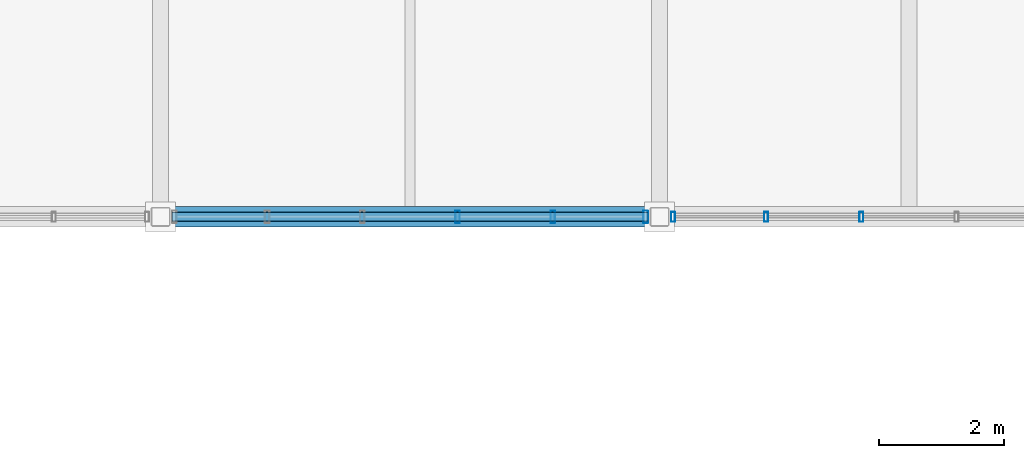
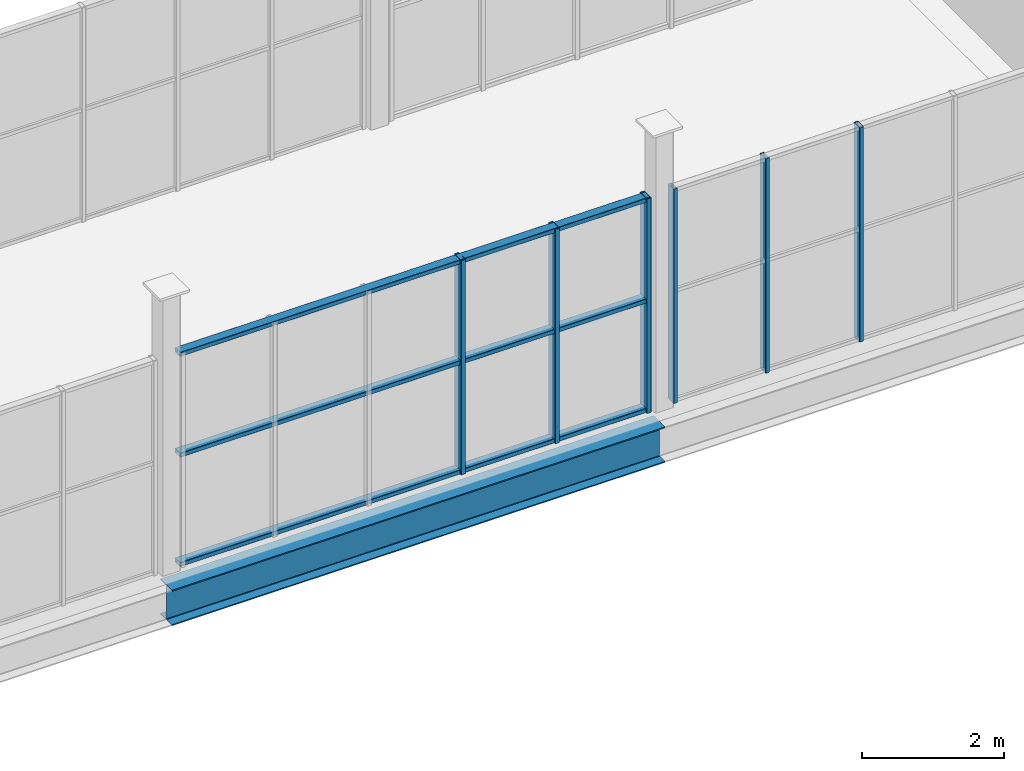
# One storey, part 51 of 114: 9 members, 1 beam, 2 elements without a shape of their own.
"""IFC4 building model written with IfcOpenShell, lengths in metres."""

from ifc_helpers import new_model, si_unit, direction, frame, origin, origin_2d, place, context, subcontext, project, spatial, hollow_rectangle, i_section, extrude, material, material_profile, profile_set, type_object, element, aggregate, save


model = new_model("IFC4")

# Units and contexts
model_context = context("Model", 3, precision=1e-05, world=origin(), true_north=direction((0.0, 1.0)))
body_context = subcontext(model_context, "Body", "Model", "MODEL_VIEW")
ifc_project = project(units=[si_unit("LENGTHUNIT", "METRE"), si_unit("AREAUNIT", "SQUARE_METRE"), si_unit("VOLUMEUNIT", "CUBIC_METRE"), si_unit("PLANEANGLEUNIT", "RADIAN"), si_unit("MASSUNIT", "GRAM", prefix="KILO")], contexts=[model_context])

# Site, building, storey
site_placement = place(None, origin())
site = spatial("IfcSite", under=ifc_project, at=site_placement, CompositionType="ELEMENT")
building_placement = place(site_placement, origin())
building = spatial("IfcBuilding", under=site, at=building_placement, Name="Verrall Gate Interchange", CompositionType="ELEMENT")
storey_placement = place(building_placement, frame((0.0, 0.0, 6.60009765625)))
storey = spatial("IfcBuildingStorey", under=building, at=storey_placement, Name="L02", CompositionType="ELEMENT", Elevation=6.60009765625)

# Beam
ifc_material_1 = material(Name="Structural Steel CSA G40.21 350WT Cat 4", Category="steel")
ifc_material_profile_1 = material_profile(ifc_material_1, i_section(OverallWidth=0.323974609375, OverallDepth=0.611083984375, WebThickness=0.0126953125, FlangeThickness=0.01904296875, FilletRadius=0.014892578125, at=origin_2d()), Name="W610x155")
ifc_profile_set_1 = profile_set([ifc_material_profile_1], Name="Structural Steel CSA G40.21 350WT Cat 4")
beam_type = type_object("IfcBeamType", Name="B-08 Structural Beam W610x155", PredefinedType="BEAM", material=ifc_profile_set_1)
beam_placement = place(storey_placement, frame((116.0, 48.0, -0.585693359375), z_axis=(1.0, 0.0, 0.0), x_axis=(0.0, 1.0, 0.0)))
element("IfcBeam", 1, at=beam_placement, inside=storey, type_object=beam_type, Name="L02 Girder BM-L02-1580 (B-08)", PredefinedType="BEAM", context=body_context, shape_type="SweptSolid", body=[
    extrude(i_section(OverallWidth=0.323974609375, OverallDepth=0.611083984375, WebThickness=0.0126953125, FlangeThickness=0.01904296875, FilletRadius=0.014892578125, at=origin_2d()), origin(), (0.0, 0.0, 1.0), 8.0),
])

# Curtain wall, members
ifc_material_2 = material(Name="Thermally Broken Anodized Aluminium Curtain Wall Framing", Category="aluminium")
curtain_wall_type = type_object("IfcCurtainWallType", Name="CW-21 Unitized Curtain Wall 7631x3680", PredefinedType="NOTDEFINED", material=ifc_material_2)
curtain_wall_1_placement = place(storey_placement, origin())
curtain_wall_1 = element("IfcCurtainWall", 2, at=curtain_wall_1_placement, inside=storey, type_object=curtain_wall_type, Name="L02 Unitized Curtain Wall CW-L02-072", PredefinedType="NOTDEFINED")
ifc_material_3 = material(Name="Thermally Broken Anodized Aluminium Curtain Wall Framing", Category="aluminium")
ifc_material_profile_2 = material_profile(ifc_material_3, hollow_rectangle(XDim=0.06494140625, YDim=0.159912109375, WallThickness=0.00390625, InnerFilletRadius=0.00390625, OuterFilletRadius=0.008056640625, at=origin_2d()), Name="CWM160x65x4")
ifc_profile_set_2 = profile_set([ifc_material_profile_2], Name="Thermally Broken Anodized Aluminium Curtain Wall Framing")
member_type_1 = type_object("IfcMemberType", Name="CM-01 Curtain Mullion CWM160x65x4", PredefinedType="MULLION", material=ifc_profile_set_2)
member_1_placement = place(storey_placement, frame((124.217041015625, 48.0, 0.0), z_axis=(0.0, 0.0, 1.0), x_axis=(1.0, 0.0, 0.0)))
member_1 = element("IfcMember", 3, at=member_1_placement, type_object=member_type_1, Name="CW-L02-072 Mullion 1", PredefinedType="MULLION", context=body_context, shape_type="SweptSolid", body=[
    extrude(hollow_rectangle(XDim=0.06494140625, YDim=0.159912109375, WallThickness=0.00390625, InnerFilletRadius=0.00390625, OuterFilletRadius=0.008056640625, at=origin_2d()), origin(), (0.0, 0.0, 1.0), 3.679931640625),
])
member_2_placement = place(storey_placement, frame((125.71044921875, 48.0, 0.0), z_axis=(0.0, 0.0, 1.0), x_axis=(1.0, 0.0, 0.0)))
member_2 = element("IfcMember", 4, at=member_2_placement, type_object=member_type_1, Name="CW-L02-072 Mullion 2", PredefinedType="MULLION", context=body_context, shape_type="SweptSolid", body=[
    extrude(hollow_rectangle(XDim=0.06494140625, YDim=0.159912109375, WallThickness=0.00390625, InnerFilletRadius=0.00390625, OuterFilletRadius=0.008056640625, at=origin_2d()), origin(), (0.0, 0.0, 1.0), 3.679931640625),
])
member_3_placement = place(storey_placement, frame((127.236572265625, 48.0, 0.0), z_axis=(0.0, 0.0, 1.0), x_axis=(1.0, 0.0, 0.0)))
member_3 = element("IfcMember", 5, at=member_3_placement, type_object=member_type_1, Name="CW-L02-072 Mullion 3", PredefinedType="MULLION", context=body_context, shape_type="SweptSolid", body=[
    extrude(hollow_rectangle(XDim=0.06494140625, YDim=0.159912109375, WallThickness=0.00390625, InnerFilletRadius=0.00390625, OuterFilletRadius=0.008056640625, at=origin_2d()), origin(), (0.0, 0.0, 1.0), 3.679931640625),
])
aggregate(curtain_wall_1, [member_1, member_2, member_3])

curtain_wall_2_placement = place(storey_placement, origin())
curtain_wall_2 = element("IfcCurtainWall", 6, at=curtain_wall_2_placement, inside=storey, type_object=curtain_wall_type, Name="L02 Unitized Curtain Wall CW-L02-071", PredefinedType="NOTDEFINED")
ifc_material_4 = material(Name="Thermally Broken Anodized Aluminium Curtain Wall Framing", Category="aluminium")
ifc_material_profile_3 = material_profile(ifc_material_4, hollow_rectangle(XDim=0.074951171875, YDim=0.199951171875, WallThickness=0.0048828125, InnerFilletRadius=0.0048828125, OuterFilletRadius=0.010009765625, at=origin_2d()), Name="CWM200x75x5")
ifc_profile_set_3 = profile_set([ifc_material_profile_3], Name="Thermally Broken Anodized Aluminium Curtain Wall Framing")
member_type_2 = type_object("IfcMemberType", Name="CM-02 Curtain Mullion CWM200x75x5", PredefinedType="MULLION", material=ifc_profile_set_3)
member_4_placement = place(storey_placement, frame((120.76318359375, 48.0, 0.0), z_axis=(0.0, 0.0, 1.0), x_axis=(1.0, 0.0, 0.0)))
member_4 = element("IfcMember", 7, at=member_4_placement, type_object=member_type_2, Name="CW-L02-071 Mullion 4", PredefinedType="MULLION", context=body_context, shape_type="SweptSolid", body=[
    extrude(hollow_rectangle(XDim=0.074951171875, YDim=0.199951171875, WallThickness=0.0048828125, InnerFilletRadius=0.0048828125, OuterFilletRadius=0.010009765625, at=origin_2d()), origin(), (0.0, 0.0, 1.0), 3.679931640625),
])
member_5_placement = place(storey_placement, frame((122.289306640625, 48.0, 0.0), z_axis=(0.0, 0.0, 1.0), x_axis=(1.0, 0.0, 0.0)))
member_5 = element("IfcMember", 8, at=member_5_placement, type_object=member_type_2, Name="CW-L02-071 Mullion 5", PredefinedType="MULLION", context=body_context, shape_type="SweptSolid", body=[
    extrude(hollow_rectangle(XDim=0.074951171875, YDim=0.199951171875, WallThickness=0.0048828125, InnerFilletRadius=0.0048828125, OuterFilletRadius=0.010009765625, at=origin_2d()), origin(), (0.0, 0.0, 1.0), 3.679931640625),
])
member_6_placement = place(storey_placement, frame((123.778076171875, 48.0, 0.0), z_axis=(0.0, 0.0, 1.0), x_axis=(1.0, 0.0, 0.0)))
member_6 = element("IfcMember", 9, at=member_6_placement, type_object=member_type_2, Name="CW-L02-071 Mullion 6", PredefinedType="MULLION", context=body_context, shape_type="SweptSolid", body=[
    extrude(hollow_rectangle(XDim=0.074951171875, YDim=0.199951171875, WallThickness=0.0048828125, InnerFilletRadius=0.0048828125, OuterFilletRadius=0.010009765625, at=origin_2d()), origin(), (0.0, 0.0, 1.0), 3.679931640625),
])
ifc_material_5 = material(Name="Thermally Broken Anodized Aluminium Curtain Wall Framing", Category="aluminium")
ifc_material_profile_4 = material_profile(ifc_material_5, hollow_rectangle(XDim=0.14990234375, YDim=0.074951171875, WallThickness=0.00439453125, InnerFilletRadius=0.00439453125, OuterFilletRadius=0.009033203125, at=origin_2d()), Name="CWT150x75x4.5")
ifc_profile_set_4 = profile_set([ifc_material_profile_4], Name="Thermally Broken Anodized Aluminium Curtain Wall Framing")
member_type_3 = type_object("IfcMemberType", Name="CT-02 Curtain Transom CWT150x75x4.5", PredefinedType="USERDEFINED", material=ifc_profile_set_4)
member_7_placement = place(storey_placement, frame((116.1845703125, 48.0, 0.037353515625), z_axis=(1.0, 0.0, 0.0), x_axis=(0.0, 1.0, 0.0)))
member_7 = element("IfcMember", 10, at=member_7_placement, type_object=member_type_3, Name="CW-L02-071 Transom 1", ObjectType="TRANSOM", PredefinedType="USERDEFINED", context=body_context, shape_type="SweptSolid", body=[
    extrude(hollow_rectangle(XDim=0.14990234375, YDim=0.074951171875, WallThickness=0.00439453125, InnerFilletRadius=0.00439453125, OuterFilletRadius=0.009033203125, at=origin_2d()), origin(), (0.0, 0.0, 1.0), 7.630859375),
])
member_8_placement = place(storey_placement, frame((116.1845703125, 48.0, 1.91357421875), z_axis=(1.0, 0.0, 0.0), x_axis=(0.0, 1.0, 0.0)))
member_8 = element("IfcMember", 11, at=member_8_placement, type_object=member_type_3, Name="CW-L02-071 Transom 2", ObjectType="TRANSOM", PredefinedType="USERDEFINED", context=body_context, shape_type="SweptSolid", body=[
    extrude(hollow_rectangle(XDim=0.14990234375, YDim=0.074951171875, WallThickness=0.00439453125, InnerFilletRadius=0.00439453125, OuterFilletRadius=0.009033203125, at=origin_2d()), origin(), (0.0, 0.0, 1.0), 7.630859375),
])
member_9_placement = place(storey_placement, frame((116.1845703125, 48.0, 3.642333984375), z_axis=(1.0, 0.0, 0.0), x_axis=(0.0, 1.0, 0.0)))
member_9 = element("IfcMember", 12, at=member_9_placement, type_object=member_type_3, Name="CW-L02-071 Transom 3", ObjectType="TRANSOM", PredefinedType="USERDEFINED", context=body_context, shape_type="SweptSolid", body=[
    extrude(hollow_rectangle(XDim=0.14990234375, YDim=0.074951171875, WallThickness=0.00439453125, InnerFilletRadius=0.00439453125, OuterFilletRadius=0.009033203125, at=origin_2d()), origin(), (0.0, 0.0, 1.0), 7.630859375),
])
aggregate(curtain_wall_2, [member_4, member_5, member_6, member_7, member_8, member_9])

save(model, "model.ifc")
